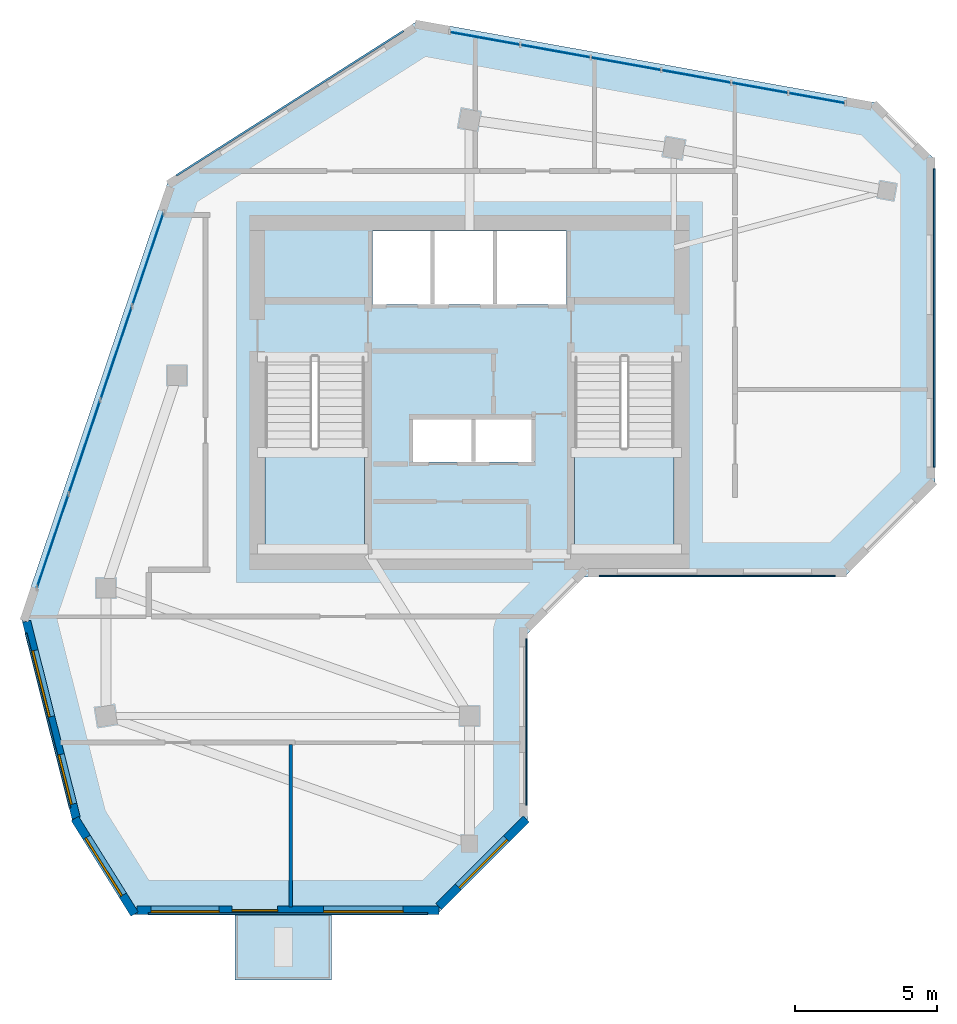
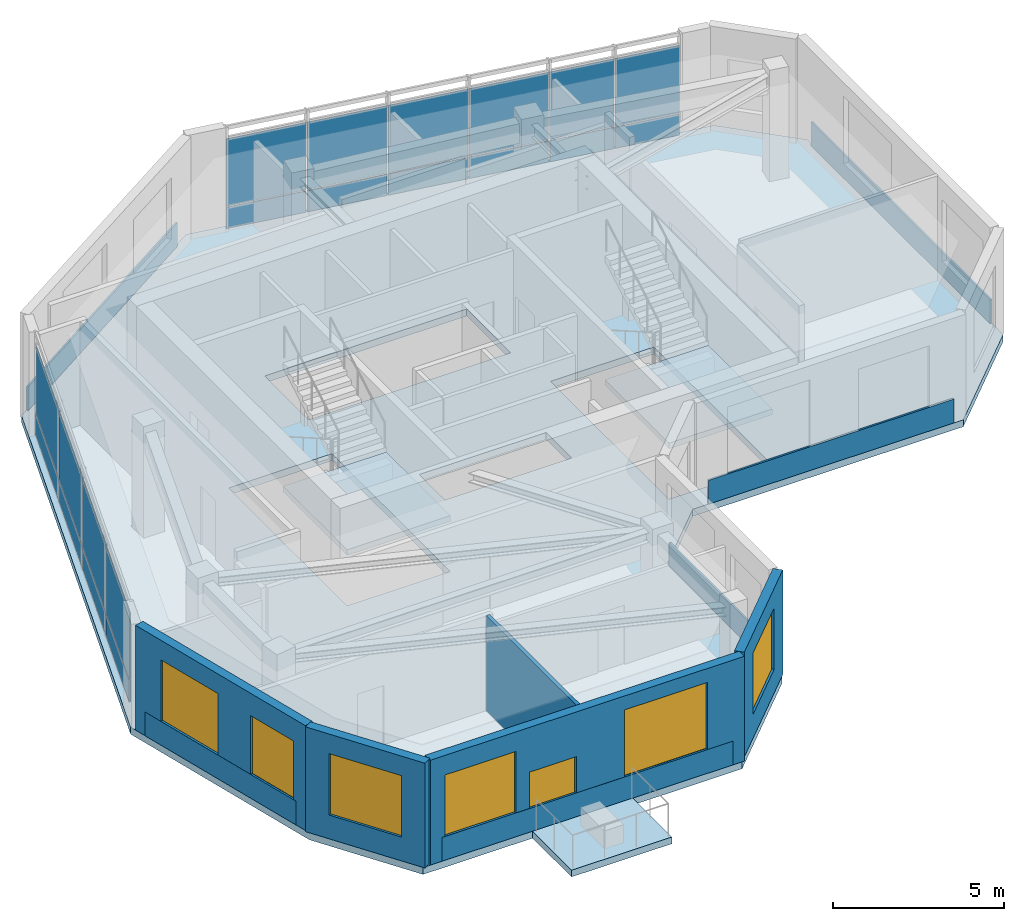
# One storey, part 2 of 8: 26 plates, 6 windows, 5 walls, 4 slabs, 1 door, 7 openings, 4 elements without a shape of their own.
"""IFC4 building model written with IfcOpenShell, lengths in metres."""

from ifc_helpers import new_model, si_unit, direction, frame, frame_2d, origin, place, context, subcontext, project, spatial, polyline, rectangle, outline, extrude, source, transform, mapped, material, layer, layer_set, type_object, element, fill, aggregate, save


model = new_model("IFC4")

# Units and contexts
model_context = context("Model", 3, precision=1e-05, world=origin(), true_north=direction((0.0, 1.0)))
body_context = subcontext(model_context, "Body", "Model", "MODEL_VIEW")
ifc_project = project(units=[si_unit("LENGTHUNIT", "METRE"), si_unit("AREAUNIT", "SQUARE_METRE"), si_unit("VOLUMEUNIT", "CUBIC_METRE"), si_unit("PLANEANGLEUNIT", "RADIAN"), si_unit("MASSUNIT", "GRAM", prefix="KILO")], contexts=[model_context])

# Site, building, storey
site_placement = place(None, origin())
site = spatial("IfcSite", under=ifc_project, at=site_placement, CompositionType="ELEMENT")
building_placement = place(site_placement, origin())
building = spatial("IfcBuilding", under=site, at=building_placement, Name="Calvemar Wedge Station Tower", CompositionType="ELEMENT")
storey_placement = place(building_placement, frame((0.0, 0.0, 296.5)))
storey = spatial("IfcBuildingStorey", under=building, at=storey_placement, Name="L76", CompositionType="ELEMENT", Elevation=296.5)

# Curtain wall, plates
ifc_material_1 = material(Name="Anodised aluminium 6063-T6", Category="aluminium")
curtain_wall_type = type_object("IfcCurtainWallType", Name="CW4", PredefinedType="NOTDEFINED", material=ifc_material_1)
curtain_wall_1_placement = place(storey_placement, origin())
curtain_wall_1 = element("IfcCurtainWall", 1, at=curtain_wall_1_placement, inside=storey, type_object=curtain_wall_type, Name="Storey L76 CW4 Recessed Unitised Curtain Wall 10", PredefinedType="NOTDEFINED")
ifc_material_2 = material(Name="Low-E laminated insulated glass", Category="glass")
ifc_layer_1 = layer(ifc_material_2, 0.028076171875)
ifc_layer_set_1 = layer_set([ifc_layer_1], Name="Low-E laminated insulated glass")
plate_type_1 = type_object("IfcPlateType", Name="CW4-GLZ", PredefinedType="CURTAIN_PANEL", material=ifc_layer_set_1)
plate_1_placement = place(storey_placement, frame((37.01611328125, 50.08740234375, 0.8701171875), z_axis=(0.0, 0.0, 1.0), x_axis=(-0.984221146633, 0.176942743621, 0.0)))
plate_1 = element("IfcPlate", 2, at=plate_1_placement, type_object=plate_type_1, Name="CW4 vision glass panel 1", PredefinedType="CURTAIN_PANEL", context=body_context, shape_type="SweptSolid", body=[
    extrude(rectangle(XDim=2.001953125, YDim=0.028076171875, at=frame_2d((1.0009765625, 0.0))), origin(), (0.0, 0.0, 1.0), 2.409912109375),
])
plate_2_placement = place(storey_placement, frame((35.01025390625, 50.447998046875, 0.8701171875), z_axis=(0.0, 0.0, 1.0), x_axis=(-0.984224963901, 0.176921509244, 0.0)))
plate_2 = element("IfcPlate", 3, at=plate_2_placement, type_object=plate_type_1, Name="CW4 vision glass panel 2", PredefinedType="CURTAIN_PANEL", context=body_context, shape_type="SweptSolid", body=[
    extrude(rectangle(XDim=2.002197265625, YDim=0.028076171875, at=frame_2d((1.0009765625, 0.0))), origin(), (0.0, 0.0, 1.0), 2.409912109375),
])
plate_3_placement = place(storey_placement, frame((33.004150390625, 50.80859375, 0.8701171875), z_axis=(0.0, 0.0, 1.0), x_axis=(-0.984227258702, 0.176908742657, 0.0)))
plate_3 = element("IfcPlate", 4, at=plate_3_placement, type_object=plate_type_1, Name="CW4 vision glass panel 3", PredefinedType="CURTAIN_PANEL", context=body_context, shape_type="SweptSolid", body=[
    extrude(rectangle(XDim=2.478515625, YDim=0.028076171875, at=frame_2d((1.2392578125, 0.0))), origin(), (0.0, 0.0, 1.0), 2.409912109375),
])
plate_4_placement = place(storey_placement, frame((30.529296875, 51.25341796875, 0.8701171875), z_axis=(0.0, 0.0, 1.0), x_axis=(-0.984230341027, 0.176891593364, 0.0)))
plate_4 = element("IfcPlate", 5, at=plate_4_placement, type_object=plate_type_1, Name="CW4 vision glass panel 4", PredefinedType="CURTAIN_PANEL", context=body_context, shape_type="SweptSolid", body=[
    extrude(rectangle(XDim=2.478759765625, YDim=0.028076171875, at=frame_2d((1.2392578125, 0.0))), origin(), (0.0, 0.0, 1.0), 2.409912109375),
])
plate_5_placement = place(storey_placement, frame((28.05419921875, 51.6982421875, 0.8701171875), z_axis=(0.0, 0.0, 1.0), x_axis=(-0.984227429681, 0.176907791418, 0.0)))
plate_5 = element("IfcPlate", 6, at=plate_5_placement, type_object=plate_type_1, Name="CW4 vision glass panel 5", PredefinedType="CURTAIN_PANEL", context=body_context, shape_type="SweptSolid", body=[
    extrude(rectangle(XDim=2.48828125, YDim=0.028076171875, at=frame_2d((1.244140625, 0.0))), origin(), (0.0, 0.0, 1.0), 2.409912109375),
])
plate_6_placement = place(storey_placement, frame((25.56982421875, 52.14501953125, 0.8701171875), z_axis=(0.0, 0.0, 1.0), x_axis=(-0.984227429681, 0.176907791418, 0.0)))
plate_6 = element("IfcPlate", 7, at=plate_6_placement, type_object=plate_type_1, Name="CW4 vision glass panel 6", PredefinedType="CURTAIN_PANEL", context=body_context, shape_type="SweptSolid", body=[
    extrude(rectangle(XDim=2.48828125, YDim=0.028076171875, at=frame_2d((1.244140625, 0.0))), origin(), (0.0, 0.0, 1.0), 2.409912109375),
])

curtain_wall_2_placement = place(storey_placement, origin())
curtain_wall_2 = element("IfcCurtainWall", 8, at=curtain_wall_2_placement, inside=storey, type_object=curtain_wall_type, Name="Storey L76 CW4 Recessed Unitised Curtain Wall 12", PredefinedType="NOTDEFINED")
plate_7_placement = place(storey_placement, frame((13.0244140625, 46.223388671875, 0.8701171875), z_axis=(0.0, 0.0, 1.0), x_axis=(-0.319915894708, -0.947445945853, 0.0)))
plate_7 = element("IfcPlate", 9, at=plate_7_placement, type_object=plate_type_1, Name="CW4 vision glass panel 1", PredefinedType="CURTAIN_PANEL", context=body_context, shape_type="SweptSolid", body=[
    extrude(rectangle(XDim=3.453125, YDim=0.028076171875, at=frame_2d((1.7265625, 0.0))), origin(), (0.0, 0.0, 1.0), 2.409912109375),
])
plate_8_placement = place(storey_placement, frame((11.908203125, 42.91748046875, 0.8701171875), z_axis=(0.0, 0.0, 1.0), x_axis=(-0.319979356362, -0.947424514936, 0.0)))
plate_8 = element("IfcPlate", 10, at=plate_8_placement, type_object=plate_type_1, Name="CW4 vision glass panel 2", PredefinedType="CURTAIN_PANEL", context=body_context, shape_type="SweptSolid", body=[
    extrude(rectangle(XDim=3.453369140625, YDim=0.028076171875, at=frame_2d((1.7265625, 0.0))), origin(), (0.0, 0.0, 1.0), 2.409912109375),
])
plate_9_placement = place(storey_placement, frame((10.791748046875, 39.611572265625, 0.8701171875), z_axis=(0.0, 0.0, 1.0), x_axis=(-0.319915894708, -0.947445945853, 0.0)))
plate_9 = element("IfcPlate", 11, at=plate_9_placement, type_object=plate_type_1, Name="CW4 vision glass panel 3", PredefinedType="CURTAIN_PANEL", context=body_context, shape_type="SweptSolid", body=[
    extrude(rectangle(XDim=3.453125, YDim=0.028076171875, at=frame_2d((1.7265625, 0.0))), origin(), (0.0, 0.0, 1.0), 2.409912109375),
])
plate_10_placement = place(storey_placement, frame((9.675537109375, 36.3056640625, 0.8701171875), z_axis=(0.0, 0.0, 1.0), x_axis=(-0.319915894708, -0.947445945853, 0.0)))
plate_10 = element("IfcPlate", 12, at=plate_10_placement, type_object=plate_type_1, Name="CW4 vision glass panel 4", PredefinedType="CURTAIN_PANEL", context=body_context, shape_type="SweptSolid", body=[
    extrude(rectangle(XDim=3.453125, YDim=0.028076171875, at=frame_2d((1.7265625, 0.0))), origin(), (0.0, 0.0, 1.0), 2.409912109375),
])

# Plate
ifc_material_3 = material(Name="Oxidized bronze aluminium spandrel panel 5005-H24", Category="aluminium")
ifc_layer_2 = layer(ifc_material_3, 0.0400390625)
ifc_layer_set_2 = layer_set([ifc_layer_2], Name="Oxidized bronze aluminium spandrel panel 5005-H24")
plate_type_2 = type_object("IfcPlateType", Name="CW4-SPD", PredefinedType="SHEET", material=ifc_layer_set_2)
plate_11_placement = place(storey_placement, frame((37.01611328125, 50.08740234375, 0.080078125), z_axis=(0.0, 0.0, 1.0), x_axis=(-0.984221146633, 0.176942743621, 0.0)))
plate_11 = element("IfcPlate", 13, at=plate_11_placement, type_object=plate_type_2, Name="CW4 bronze spandrel panel 1", PredefinedType="SHEET", context=body_context, shape_type="SweptSolid", body=[
    extrude(rectangle(XDim=2.001953125, YDim=0.0400390625, at=frame_2d((1.0009765625, 0.0))), origin(), (0.0, 0.0, 1.0), 0.75),
])

plate_12_placement = place(storey_placement, frame((35.01025390625, 50.447998046875, 0.080078125), z_axis=(0.0, 0.0, 1.0), x_axis=(-0.984224963901, 0.176921509244, 0.0)))
plate_12 = element("IfcPlate", 14, at=plate_12_placement, type_object=plate_type_2, Name="CW4 bronze spandrel panel 2", PredefinedType="SHEET", context=body_context, shape_type="SweptSolid", body=[
    extrude(rectangle(XDim=2.002197265625, YDim=0.0400390625, at=frame_2d((1.0009765625, 0.0))), origin(), (0.0, 0.0, 1.0), 0.75),
])

plate_13_placement = place(storey_placement, frame((33.004150390625, 50.80859375, 0.080078125), z_axis=(0.0, 0.0, 1.0), x_axis=(-0.984227258702, 0.176908742657, 0.0)))
plate_13 = element("IfcPlate", 15, at=plate_13_placement, type_object=plate_type_2, Name="CW4 bronze spandrel panel 3", PredefinedType="SHEET", context=body_context, shape_type="SweptSolid", body=[
    extrude(rectangle(XDim=2.478515625, YDim=0.0400390625, at=frame_2d((1.2392578125, 0.0))), origin(), (0.0, 0.0, 1.0), 0.75),
])

plate_14_placement = place(storey_placement, frame((30.529296875, 51.25341796875, 0.080078125), z_axis=(0.0, 0.0, 1.0), x_axis=(-0.984230341027, 0.176891593364, 0.0)))
plate_14 = element("IfcPlate", 16, at=plate_14_placement, type_object=plate_type_2, Name="CW4 bronze spandrel panel 4", PredefinedType="SHEET", context=body_context, shape_type="SweptSolid", body=[
    extrude(rectangle(XDim=2.478759765625, YDim=0.0400390625, at=frame_2d((1.2392578125, 0.0))), origin(), (0.0, 0.0, 1.0), 0.75),
])

plate_15_placement = place(storey_placement, frame((28.05419921875, 51.6982421875, 0.080078125), z_axis=(0.0, 0.0, 1.0), x_axis=(-0.984227429681, 0.176907791418, 0.0)))
plate_15 = element("IfcPlate", 17, at=plate_15_placement, type_object=plate_type_2, Name="CW4 bronze spandrel panel 5", PredefinedType="SHEET", context=body_context, shape_type="SweptSolid", body=[
    extrude(rectangle(XDim=2.48828125, YDim=0.0400390625, at=frame_2d((1.244140625, 0.0))), origin(), (0.0, 0.0, 1.0), 0.75),
])

plate_16_placement = place(storey_placement, frame((25.56982421875, 52.14501953125, 0.080078125), z_axis=(0.0, 0.0, 1.0), x_axis=(-0.984227429681, 0.176907791418, 0.0)))
plate_16 = element("IfcPlate", 18, at=plate_16_placement, type_object=plate_type_2, Name="CW4 bronze spandrel panel 6", PredefinedType="SHEET", context=body_context, shape_type="SweptSolid", body=[
    extrude(rectangle(XDim=2.48828125, YDim=0.0400390625, at=frame_2d((1.244140625, 0.0))), origin(), (0.0, 0.0, 1.0), 0.75),
])

aggregate(curtain_wall_1, [plate_11, plate_1, plate_12, plate_2, plate_13, plate_3, plate_14, plate_4, plate_15, plate_5, plate_16, plate_6])

plate_17_placement = place(storey_placement, frame((13.0244140625, 46.223388671875, 0.080078125), z_axis=(0.0, 0.0, 1.0), x_axis=(-0.319915894708, -0.947445945853, 0.0)))
plate_17 = element("IfcPlate", 19, at=plate_17_placement, type_object=plate_type_2, Name="CW4 bronze spandrel panel 1", PredefinedType="SHEET", context=body_context, shape_type="SweptSolid", body=[
    extrude(rectangle(XDim=3.453125, YDim=0.0400390625, at=frame_2d((1.7265625, 0.0))), origin(), (0.0, 0.0, 1.0), 0.75),
])

plate_18_placement = place(storey_placement, frame((11.908203125, 42.91748046875, 0.080078125), z_axis=(0.0, 0.0, 1.0), x_axis=(-0.319979356362, -0.947424514936, 0.0)))
plate_18 = element("IfcPlate", 20, at=plate_18_placement, type_object=plate_type_2, Name="CW4 bronze spandrel panel 2", PredefinedType="SHEET", context=body_context, shape_type="SweptSolid", body=[
    extrude(rectangle(XDim=3.453369140625, YDim=0.0400390625, at=frame_2d((1.7265625, 0.0))), origin(), (0.0, 0.0, 1.0), 0.75),
])

plate_19_placement = place(storey_placement, frame((10.791748046875, 39.611572265625, 0.080078125), z_axis=(0.0, 0.0, 1.0), x_axis=(-0.319915894708, -0.947445945853, 0.0)))
plate_19 = element("IfcPlate", 21, at=plate_19_placement, type_object=plate_type_2, Name="CW4 bronze spandrel panel 3", PredefinedType="SHEET", context=body_context, shape_type="SweptSolid", body=[
    extrude(rectangle(XDim=3.453125, YDim=0.0400390625, at=frame_2d((1.7265625, 0.0))), origin(), (0.0, 0.0, 1.0), 0.75),
])

plate_20_placement = place(storey_placement, frame((9.675537109375, 36.3056640625, 0.080078125), z_axis=(0.0, 0.0, 1.0), x_axis=(-0.319915894708, -0.947445945853, 0.0)))
plate_20 = element("IfcPlate", 22, at=plate_20_placement, type_object=plate_type_2, Name="CW4 bronze spandrel panel 4", PredefinedType="SHEET", context=body_context, shape_type="SweptSolid", body=[
    extrude(rectangle(XDim=3.453125, YDim=0.0400390625, at=frame_2d((1.7265625, 0.0))), origin(), (0.0, 0.0, 1.0), 0.75),
])

aggregate(curtain_wall_2, [plate_17, plate_7, plate_18, plate_8, plate_19, plate_9, plate_20, plate_10])

# Plates
ifc_material_4 = material(Name="Precast concrete C45", Category="concrete")
ifc_layer_3 = layer(ifc_material_4, 0.06494140625)
ifc_layer_set_3 = layer_set([ifc_layer_3], Name="Precast concrete C45")
plate_type_3 = type_object("IfcPlateType", Name="PL-GFRC-FIN", PredefinedType="USERDEFINED", material=ifc_layer_set_3)
plate_21_placement = place(storey_placement, frame((12.48583984375, 21.530029296875, 0.0), z_axis=(0.0, 0.0, 1.0), x_axis=(1.0, 0.0, 0.0)))
element("IfcPlate", 23, at=plate_21_placement, inside=storey, type_object=plate_type_3, Name="Storey L76 Oxidized-Bronze GFRC Spandrel Cladding 2", ObjectType="CLADDING PANEL", PredefinedType="USERDEFINED", context=body_context, shape_type="SweptSolid", body=[
    extrude(rectangle(XDim=9.842041015625, YDim=0.06494140625, at=frame_2d((4.9208984375, 0.0))), origin(), (0.0, 0.0, 1.0), 0.85009765625),
])
plate_22_placement = place(storey_placement, frame((25.81005859375, 25.357421875, 0.0), z_axis=(0.0, 0.0, 1.0), x_axis=(0.0, 1.0, 0.0)))
element("IfcPlate", 24, at=plate_22_placement, inside=storey, type_object=plate_type_3, Name="Storey L76 Oxidized-Bronze GFRC Spandrel Cladding 4", ObjectType="CLADDING PANEL", PredefinedType="USERDEFINED", context=body_context, shape_type="SweptSolid", body=[
    extrude(rectangle(XDim=5.854736328125, YDim=0.06494140625, at=frame_2d((2.92724609375, 0.0))), origin(), (0.0, 0.0, 1.0), 0.85009765625),
])
plate_23_placement = place(storey_placement, frame((28.373046875, 33.429931640625, 0.0), z_axis=(0.0, 0.0, 1.0), x_axis=(1.0, 0.0, 0.0)))
element("IfcPlate", 25, at=plate_23_placement, inside=storey, type_object=plate_type_3, Name="Storey L76 Oxidized-Bronze GFRC Spandrel Cladding 6", ObjectType="CLADDING PANEL", PredefinedType="USERDEFINED", context=body_context, shape_type="SweptSolid", body=[
    extrude(rectangle(XDim=8.31494140625, YDim=0.06494140625, at=frame_2d((4.157470703125, 0.0))), origin(), (0.0, 0.0, 1.0), 0.85009765625),
])
plate_24_placement = place(storey_placement, frame((40.169921875, 37.25732421875, 0.0), z_axis=(0.0, 0.0, 1.0), x_axis=(0.0, 1.0, 0.0)))
element("IfcPlate", 26, at=plate_24_placement, inside=storey, type_object=plate_type_3, Name="Storey L76 Oxidized-Bronze GFRC Spandrel Cladding 8", ObjectType="CLADDING PANEL", PredefinedType="USERDEFINED", context=body_context, shape_type="SweptSolid", body=[
    extrude(rectangle(XDim=10.5185546875, YDim=0.06494140625, at=frame_2d((5.25927734375, 0.0))), origin(), (0.0, 0.0, 1.0), 0.85009765625),
])
plate_25_placement = place(storey_placement, frame((21.470947265625, 52.627685546875, 0.0), z_axis=(0.0, 0.0, 1.0), x_axis=(-0.843666788961, -0.5368671616, 0.0)))
element("IfcPlate", 27, at=plate_25_placement, inside=storey, type_object=plate_type_3, Name="Storey L76 Oxidized-Bronze GFRC Spandrel Cladding 11", ObjectType="CLADDING PANEL", PredefinedType="USERDEFINED", context=body_context, shape_type="SweptSolid", body=[
    extrude(rectangle(XDim=9.4814453125, YDim=0.06494140625, at=frame_2d((4.74072265625, 0.0))), origin(), (0.0, 0.0, 1.0), 0.85009765625),
])
plate_26_placement = place(storey_placement, frame((8.177734375, 31.41748046875, 0.0), z_axis=(0.0, 0.0, 1.0), x_axis=(0.244425395566, -0.969668100951, 0.0)))
element("IfcPlate", 28, at=plate_26_placement, inside=storey, type_object=plate_type_3, Name="Storey L76 Oxidized-Bronze GFRC Spandrel Cladding 13", ObjectType="CLADDING PANEL", PredefinedType="USERDEFINED", context=body_context, shape_type="SweptSolid", body=[
    extrude(rectangle(XDim=6.3515625, YDim=0.06494140625, at=frame_2d((3.17578125, 0.0))), origin(), (0.0, 0.0, 1.0), 0.85009765625),
])

# Stair, slab
ifc_material_5 = material(Name="Concrete C45", Category="concrete")
stair_type = type_object("IfcStairType", Name="ST-TYPE-4000", PredefinedType="HALF_TURN_STAIR", material=ifc_material_5)
stair_1_placement = place(storey_placement, origin())
stair_1 = element("IfcStair", 29, at=stair_1_placement, inside=storey, type_object=stair_type, Name="L76 Pressurized Core Exit Stair ST-C1", PredefinedType="HALF_TURN_STAIR")
ifc_layer_4 = layer(ifc_material_5, 0.199951171875)
ifc_layer_set_4 = layer_set([ifc_layer_4], Name="Concrete C45")
slab_type_1 = type_object("IfcSlabType", Name="SL-STAIR-LND-200", PredefinedType="LANDING", material=ifc_layer_set_4)
slab_1_placement = place(storey_placement, frame((0.0, 0.0, 1.800048828125)))
slab_1 = element("IfcSlab", 30, at=slab_1_placement, type_object=slab_type_1, Name="ST-C1 landing 1", PredefinedType="LANDING", context=body_context, shape_type="SweptSolid", body=[
    extrude(outline(polyline([(16.60009765625, 37.9599609375), (16.60009765625, 34.199951171875), (20.10009765625, 34.199951171875), (20.10009765625, 37.9599609375), (16.60009765625, 37.9599609375)])), origin(), (0.0, 0.0, 1.0), 0.199951171875),
])
aggregate(stair_1, [slab_1])

stair_2_placement = place(storey_placement, origin())
stair_2 = element("IfcStair", 31, at=stair_2_placement, inside=storey, type_object=stair_type, Name="L76 Pressurized Core Exit Stair ST-C2", PredefinedType="HALF_TURN_STAIR")
slab_2_placement = place(storey_placement, frame((0.0, 0.0, 1.800048828125)))
slab_2 = element("IfcSlab", 32, at=slab_2_placement, type_object=slab_type_1, Name="ST-C2 landing 1", PredefinedType="LANDING", context=body_context, shape_type="SweptSolid", body=[
    extrude(outline(polyline([(27.5, 37.9599609375), (27.5, 34.199951171875), (31.0, 34.199951171875), (31.0, 37.9599609375), (27.5, 37.9599609375)])), origin(), (0.0, 0.0, 1.0), 0.199951171875),
])
aggregate(stair_2, [slab_2])

# Slabs
ifc_layer_5 = layer(ifc_material_5, 0.239990234375)
ifc_layer_set_5 = layer_set([ifc_layer_5], Name="Concrete C45")
slab_type_2 = type_object("IfcSlabType", Name="SL-TERR-240", PredefinedType="FLOOR", material=ifc_layer_set_5)
slab_3_placement = place(storey_placement, frame((0.0, 0.0, -0.239990234375)))
element("IfcSlab", 33, at=slab_3_placement, inside=storey, type_object=slab_type_2, Name="Storey L76 Planted Spiral Terrace Slab", PredefinedType="FLOOR", context=body_context, shape_type="SweptSolid", body=[
    extrude(outline(polyline([(15.5400390625, 21.5), (15.5400390625, 19.199951171875), (18.93994140625, 19.199951171875), (18.93994140625, 21.5), (15.5400390625, 21.5)])), origin(), (0.0, 0.0, 1.0), 0.239990234375),
])
ifc_material_6 = material(Name="Concrete C50", Category="concrete")
ifc_layer_6 = layer(ifc_material_6, 0.25)
ifc_layer_set_6 = layer_set([ifc_layer_6], Name="Concrete C50")
slab_type_3 = type_object("IfcSlabType", Name="SL-TYP-250", PredefinedType="FLOOR", material=ifc_layer_set_6)
slab_4_placement = place(storey_placement, frame((0.0, 0.0, -0.25)))
element("IfcSlab", 34, at=slab_4_placement, inside=storey, type_object=slab_type_3, Name="Storey L76 Structural Floor Slab", PredefinedType="FLOOR", context=body_context, shape_type="SweptSolid", body=[
    extrude(outline(polyline([(8.0, 32.0), (9.840087890625, 24.699951171875), (11.840087890625, 21.5), (22.639892578125, 21.5), (25.840087890625, 24.699951171875), (25.840087890625, 31.39990234375), (27.840087890625, 33.39990234375), (37.0, 33.39990234375), (40.199951171875, 36.60009765625), (40.199951171875, 48.087890625), (38.199951171875, 50.087890625), (22.0, 53.0), (13.199951171875, 47.39990234375), (8.0, 32.0)]), holes=[polyline([(20.10009765625, 34.199951171875), (20.10009765625, 41.14990234375), (16.60009765625, 41.14990234375), (16.60009765625, 34.199951171875), (20.10009765625, 34.199951171875)]), polyline([(31.0, 34.199951171875), (31.0, 41.14990234375), (27.5, 41.14990234375), (27.5, 34.199951171875), (31.0, 34.199951171875)]), polyline([(23.929931640625, 38.949951171875), (21.7900390625, 38.949951171875), (21.7900390625, 37.449951171875), (23.929931640625, 37.449951171875), (23.93994140625, 37.449951171875), (26.080078125, 37.449951171875), (26.080078125, 38.949951171875), (23.93994140625, 38.949951171875), (23.929931640625, 38.949951171875)]), polyline([(27.219970703125, 43.0), (27.219970703125, 45.580078125), (20.3798828125, 45.580078125), (20.3798828125, 43.0), (27.219970703125, 43.0)])]), origin(), (0.0, 0.0, 1.0), 0.25),
])

# Wall, opening, window
ifc_layer_7 = layer(ifc_material_4, 0.300048828125)
ifc_layer_set_7 = layer_set([ifc_layer_7], Name="Precast concrete C45")
wall_type_1 = type_object("IfcWallType", Name="W-EXT-GFRC-300", PredefinedType="SOLIDWALL", material=ifc_layer_set_7)
wall_1_placement = place(storey_placement, frame((9.900146484375, 24.88671875, 0.0), z_axis=(0.0, 0.0, 1.0), x_axis=(0.530004471907, -0.84799484654, 0.0)))
wall_1 = element("IfcWall", 35, at=wall_1_placement, inside=storey, type_object=wall_type_1, Name="Storey L76 Bronze GFRC Exterior Wall 1", PredefinedType="SOLIDWALL", context=body_context, shape_type="SweptSolid", body=[
    extrude(rectangle(XDim=3.967041015625, YDim=0.300048828125, at=frame_2d((1.9833984375, 0.0))), origin(), (0.0, 0.0, 1.0), 3.75),
])
shared_shape_1 = source(origin(), body_context, "Body", "SweptSolid", [
    extrude(rectangle(XDim=2.39990234375, YDim=2.199951171875, at=frame_2d((1.199951171875, 1.10009765625))), frame((0.0, 0.16015625, 0.0), z_axis=(0.0, -1.0, 0.0), x_axis=(1.0, 0.0, 0.0)), (0.0, 0.0, 1.0), 0.320068359375),
])
opening_1_placement = place(wall_1_placement, frame((0.782958984375, 0.0, 0.85009765625)))
opening_1 = element("IfcOpeningElement", 36, at=opening_1_placement, cuts=wall_1, Name="Opening W1", PredefinedType="OPENING", context=body_context, shape_type="MappedRepresentation", body=[
    mapped(shared_shape_1, transform((0.0, 0.0, 0.0), scale=1.0)),
])
window_type_1 = type_object("IfcWindowType", Name="WIN-EXT-1", PartitioningType="SINGLE_PANEL", PredefinedType="WINDOW", material=ifc_material_2)
shared_shape_2 = source(origin(), body_context, "Body", "SweptSolid", [
    extrude(rectangle(XDim=2.39990234375, YDim=2.199951171875, at=frame_2d((1.199951171875, 1.10009765625))), frame((0.0, -0.014892578125, 0.0), z_axis=(0.0, -1.0, 0.0), x_axis=(1.0, 0.0, 0.0)), (0.0, 0.0, 1.0), 0.06005859375),
])
window_1_placement = place(opening_1_placement, origin())
window_1 = element("IfcWindow", 37, at=window_1_placement, inside=storey, type_object=window_type_1, Name="Storey L76 Recessed Window 1.1", OverallHeight=2.199951171875, OverallWidth=2.39990234375, PartitioningType="SINGLE_PANEL", PredefinedType="WINDOW", context=body_context, shape_type="MappedRepresentation", body=[
    mapped(shared_shape_2, transform((0.0, 0.0, 0.0), scale=1.0)),
])
fill(opening_1, window_1)

# Wall, openings, windows, door
wall_2_placement = place(storey_placement, frame((12.085693359375, 21.64990234375, 0.0), z_axis=(0.0, 0.0, 1.0), x_axis=(1.0, 0.0, 0.0)))
wall_2 = element("IfcWall", 38, at=wall_2_placement, inside=storey, type_object=wall_type_1, Name="Storey L76 Bronze GFRC Exterior Wall 2", PredefinedType="SOLIDWALL", context=body_context, shape_type="SweptSolid", body=[
    extrude(rectangle(XDim=10.64208984375, YDim=0.300048828125, at=frame_2d((5.321044921875, 0.0))), origin(), (0.0, 0.0, 1.0), 3.75),
])
shared_shape_3 = source(origin(), body_context, "Body", "SweptSolid", [
    extrude(rectangle(XDim=1.60009765625, YDim=2.14990234375, at=frame_2d((0.800048828125, 1.074951171875))), frame((0.0, 0.16015625, 0.0), z_axis=(0.0, -1.0, 0.0), x_axis=(1.0, 0.0, 0.0)), (0.0, 0.0, 1.0), 0.320068359375),
])
opening_2_placement = place(wall_2_placement, frame((3.35400390625, 0.0, 0.0)))
opening_2 = element("IfcOpeningElement", 39, at=opening_2_placement, cuts=wall_2, Name="Opening DT1", PredefinedType="OPENING", context=body_context, shape_type="MappedRepresentation", body=[
    mapped(shared_shape_3, transform((0.0, 0.0, 0.0), scale=1.0)),
])
opening_3_placement = place(wall_2_placement, frame((0.4970703125, 0.0, 0.85009765625)))
opening_3 = element("IfcOpeningElement", 40, at=opening_3_placement, cuts=wall_2, Name="Opening W1", PredefinedType="OPENING", context=body_context, shape_type="MappedRepresentation", body=[
    mapped(shared_shape_1, transform((0.0, 0.0, 0.0), scale=1.0)),
])
shared_shape_4 = source(origin(), body_context, "Body", "SweptSolid", [
    extrude(rectangle(XDim=2.800048828125, YDim=2.39990234375, at=frame_2d((1.39990234375, 1.199951171875))), frame((0.0, 0.16015625, 0.0), z_axis=(0.0, -1.0, 0.0), x_axis=(1.0, 0.0, 0.0)), (0.0, 0.0, 1.0), 0.320068359375),
])
opening_4_placement = place(wall_2_placement, frame((6.577880859375, 0.0, 0.85009765625)))
opening_4 = element("IfcOpeningElement", 41, at=opening_4_placement, cuts=wall_2, Name="Opening W6", PredefinedType="OPENING", context=body_context, shape_type="MappedRepresentation", body=[
    mapped(shared_shape_4, transform((0.0, 0.0, 0.0), scale=1.0)),
])
window_type_2 = type_object("IfcWindowType", Name="WIN-EXT-6", PartitioningType="SINGLE_PANEL", PredefinedType="WINDOW", material=ifc_material_2)
shared_shape_5 = source(origin(), body_context, "Body", "SweptSolid", [
    extrude(rectangle(XDim=2.800048828125, YDim=2.39990234375, at=frame_2d((1.39990234375, 1.199951171875))), frame((0.0, -0.014892578125, 0.0), z_axis=(0.0, -1.0, 0.0), x_axis=(1.0, 0.0, 0.0)), (0.0, 0.0, 1.0), 0.06005859375),
])
window_2_placement = place(opening_4_placement, origin())
window_2 = element("IfcWindow", 42, at=window_2_placement, inside=storey, type_object=window_type_2, Name="Storey L76 Recessed Window 2.2", OverallHeight=2.39990234375, OverallWidth=2.800048828125, PartitioningType="SINGLE_PANEL", PredefinedType="WINDOW", context=body_context, shape_type="MappedRepresentation", body=[
    mapped(shared_shape_5, transform((0.0, 0.0, 0.0), scale=1.0)),
])
fill(opening_4, window_2)
window_3_placement = place(opening_3_placement, origin())
window_3 = element("IfcWindow", 43, at=window_3_placement, inside=storey, type_object=window_type_1, Name="Storey L76 Recessed Window 2.1", OverallHeight=2.199951171875, OverallWidth=2.39990234375, PartitioningType="SINGLE_PANEL", PredefinedType="WINDOW", context=body_context, shape_type="MappedRepresentation", body=[
    mapped(shared_shape_2, transform((0.0, 0.0, 0.0), scale=1.0)),
])
fill(opening_3, window_3)
door_type = type_object("IfcDoorType", Name="DR-TERR-1600", OperationType="DOUBLE_DOOR_SLIDING", PredefinedType="DOOR", material=ifc_material_1)
shared_shape_6 = source(origin(), body_context, "Body", "SweptSolid", [
    extrude(rectangle(XDim=1.60009765625, YDim=2.14990234375, at=frame_2d((0.800048828125, 1.074951171875))), frame((0.0, 0.02490234375, 0.0), z_axis=(0.0, -1.0, 0.0), x_axis=(1.0, 0.0, 0.0)), (0.0, 0.0, 1.0), 0.050048828125),
])
door_placement = place(opening_2_placement, origin())
door = element("IfcDoor", 44, at=door_placement, inside=storey, type_object=door_type, Name="Storey L76 Spiral Terrace Door", OperationType="DOUBLE_DOOR_SLIDING", OverallHeight=2.14990234375, OverallWidth=1.60009765625, PredefinedType="DOOR", context=body_context, shape_type="MappedRepresentation", body=[
    mapped(shared_shape_6, transform((0.0, 0.0, 0.0), scale=1.0)),
])
fill(opening_2, door)

# Wall, opening, window
wall_3_placement = place(storey_placement, frame((22.7158203125, 21.7880859375, 0.0), z_axis=(0.0, 0.0, 1.0), x_axis=(0.707134803727, 0.707078757535, 0.0)))
wall_3 = element("IfcWall", 45, at=wall_3_placement, inside=storey, type_object=wall_type_1, Name="Storey L76 Bronze GFRC Exterior Wall 3", PredefinedType="SOLIDWALL", context=body_context, shape_type="SweptSolid", body=[
    extrude(rectangle(XDim=4.35595703125, YDim=0.300048828125, at=frame_2d((2.177978515625, 0.0))), origin(), (0.0, 0.0, 1.0), 3.75),
])
opening_5_placement = place(wall_3_placement, frame((0.97802734375, 0.0, 0.85009765625)))
opening_5 = element("IfcOpeningElement", 46, at=opening_5_placement, cuts=wall_3, Name="Opening W1", PredefinedType="OPENING", context=body_context, shape_type="MappedRepresentation", body=[
    mapped(shared_shape_1, transform((0.0, 0.0, 0.0), scale=1.0)),
])
window_4_placement = place(opening_5_placement, origin())
window_4 = element("IfcWindow", 47, at=window_4_placement, inside=storey, type_object=window_type_1, Name="Storey L76 Recessed Window 3.1", OverallHeight=2.199951171875, OverallWidth=2.39990234375, PartitioningType="SINGLE_PANEL", PredefinedType="WINDOW", context=body_context, shape_type="MappedRepresentation", body=[
    mapped(shared_shape_2, transform((0.0, 0.0, 0.0), scale=1.0)),
])
fill(opening_5, window_4)

# Wall, openings, windows
wall_4_placement = place(storey_placement, frame((8.1962890625, 31.834716796875, 0.0), z_axis=(0.0, 0.0, 1.0), x_axis=(0.244430846523, -0.969666726906, 0.0)))
wall_4 = element("IfcWall", 48, at=wall_4_placement, inside=storey, type_object=wall_type_1, Name="Storey L76 Bronze GFRC Exterior Wall 13", PredefinedType="SOLIDWALL", context=body_context, shape_type="SweptSolid", body=[
    extrude(rectangle(XDim=7.151611328125, YDim=0.300048828125, at=frame_2d((3.57568359375, 0.0))), origin(), (0.0, 0.0, 1.0), 3.75),
])
opening_6_placement = place(wall_4_placement, frame((1.06591796875, 0.0, 0.85009765625)))
opening_6 = element("IfcOpeningElement", 49, at=opening_6_placement, cuts=wall_4, Name="Opening W1", PredefinedType="OPENING", context=body_context, shape_type="MappedRepresentation", body=[
    mapped(shared_shape_1, transform((0.0, 0.0, 0.0), scale=1.0)),
])
shared_shape_7 = source(origin(), body_context, "Body", "SweptSolid", [
    extrude(rectangle(XDim=1.800048828125, YDim=2.10009765625, at=frame_2d((0.89990234375, 1.050048828125))), frame((0.0, 0.16015625, 0.0), z_axis=(0.0, -1.0, 0.0), x_axis=(1.0, 0.0, 0.0)), (0.0, 0.0, 1.0), 0.320068359375),
])
opening_7_placement = place(wall_4_placement, frame((4.842041015625, 0.0, 0.85009765625)))
opening_7 = element("IfcOpeningElement", 50, at=opening_7_placement, cuts=wall_4, Name="Opening W2", PredefinedType="OPENING", context=body_context, shape_type="MappedRepresentation", body=[
    mapped(shared_shape_7, transform((0.0, 0.0, 0.0), scale=1.0)),
])
window_type_3 = type_object("IfcWindowType", Name="WIN-EXT-2", PartitioningType="SINGLE_PANEL", PredefinedType="WINDOW", material=ifc_material_2)
shared_shape_8 = source(origin(), body_context, "Body", "SweptSolid", [
    extrude(rectangle(XDim=1.800048828125, YDim=2.10009765625, at=frame_2d((0.89990234375, 1.050048828125))), frame((0.0, -0.014892578125, 0.0), z_axis=(0.0, -1.0, 0.0), x_axis=(1.0, 0.0, 0.0)), (0.0, 0.0, 1.0), 0.06005859375),
])
window_5_placement = place(opening_7_placement, origin())
window_5 = element("IfcWindow", 51, at=window_5_placement, inside=storey, type_object=window_type_3, Name="Storey L76 Recessed Window 13.2", OverallHeight=2.10009765625, OverallWidth=1.800048828125, PartitioningType="SINGLE_PANEL", PredefinedType="WINDOW", context=body_context, shape_type="MappedRepresentation", body=[
    mapped(shared_shape_8, transform((0.0, 0.0, 0.0), scale=1.0)),
])
fill(opening_7, window_5)
window_6_placement = place(opening_6_placement, origin())
window_6 = element("IfcWindow", 52, at=window_6_placement, inside=storey, type_object=window_type_1, Name="Storey L76 Recessed Window 13.1", OverallHeight=2.199951171875, OverallWidth=2.39990234375, PartitioningType="SINGLE_PANEL", PredefinedType="WINDOW", context=body_context, shape_type="MappedRepresentation", body=[
    mapped(shared_shape_2, transform((0.0, 0.0, 0.0), scale=1.0)),
])
fill(opening_6, window_6)

# Wall
ifc_material_7 = material(Name="Insulated acoustic gypsum stud partition")
ifc_layer_8 = layer(ifc_material_7, 0.125)
ifc_layer_set_8 = layer_set([ifc_layer_8], Name="Insulated acoustic gypsum stud partition")
wall_type_2 = type_object("IfcWallType", Name="W-PART-125", PredefinedType="PARTITIONING", material=ifc_layer_set_8)
wall_5_placement = place(storey_placement, frame((17.5, 27.49853515625, 0.0), z_axis=(0.0, 0.0, 1.0), x_axis=(0.0, -1.0, 0.0)))
element("IfcWall", 53, at=wall_5_placement, inside=storey, type_object=wall_type_2, Name="Storey L76 Interior Partition WL-L76-025", PredefinedType="PARTITIONING", context=body_context, shape_type="SweptSolid", body=[
    extrude(rectangle(XDim=5.733642578125, YDim=0.125, at=frame_2d((2.86669921875, 0.0))), origin(), (0.0, 0.0, 1.0), 3.4189453125),
])

save(model, "model.ifc")
